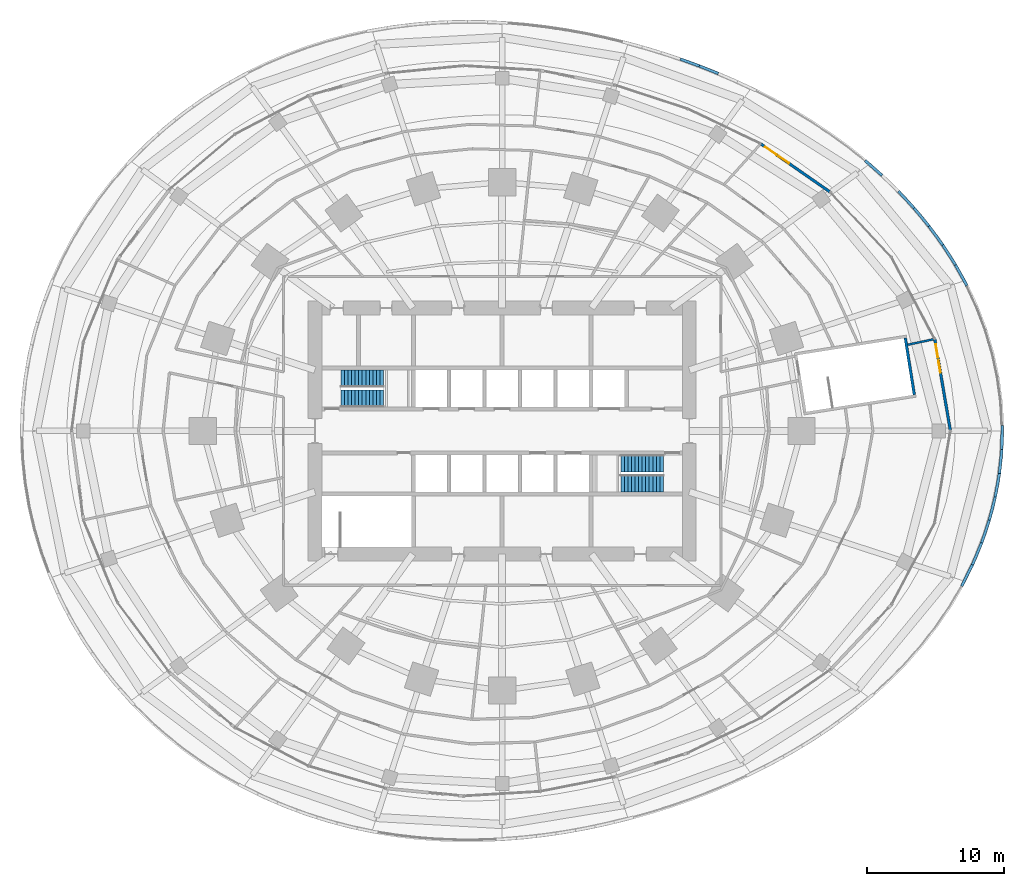
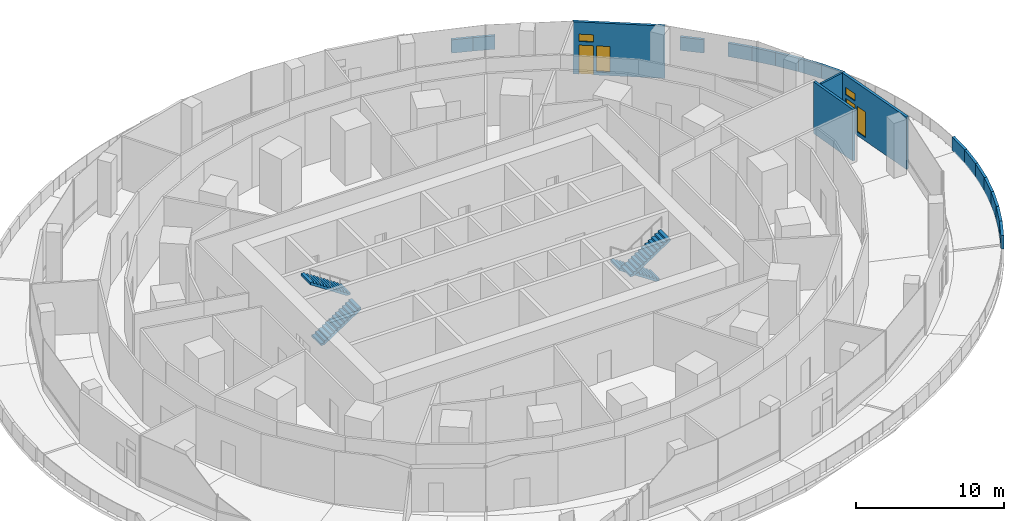
# One storey, part 22 of 26: 19 walls, 4 stair flights, 4 windows, 2 doors, 6 openings, 2 elements without a shape of their own.
"""IFC4 building model written with IfcOpenShell, lengths in metres."""

from ifc_helpers import new_model, si_unit, direction, frame, frame_2d, origin, place, context, subcontext, project, spatial, polyline, rectangle, outline, extrude, material, layer, layer_set, type_object, element, fill, aggregate, save


model = new_model("IFC4")

# Units and contexts
model_context = context("Model", 3, precision=1e-05, world=origin(), true_north=direction((0.0, 1.0)))
body_context = subcontext(model_context, "Body", "Model", "MODEL_VIEW")
ifc_project = project(units=[si_unit("LENGTHUNIT", "METRE"), si_unit("AREAUNIT", "SQUARE_METRE"), si_unit("VOLUMEUNIT", "CUBIC_METRE"), si_unit("PLANEANGLEUNIT", "RADIAN"), si_unit("MASSUNIT", "GRAM", prefix="KILO")], contexts=[model_context])

# Site, building, storey
site_placement = place(None, origin())
site = spatial("IfcSite", under=ifc_project, at=site_placement, CompositionType="ELEMENT")
building_placement = place(site_placement, origin())
building = spatial("IfcBuilding", under=site, at=building_placement, Name="Marramba Exchange Tower", CompositionType="ELEMENT")
storey_placement = place(building_placement, frame((0.0, 0.0, 15.10009765625)))
storey = spatial("IfcBuildingStorey", under=building, at=storey_placement, Name="L03", CompositionType="ELEMENT", Elevation=15.10009765625)

# Wall, openings, door, windows
ifc_material_1 = material(Name="Aluminium-framed bronze cladding on steel studs", Category="steel")
ifc_layer_1 = layer(ifc_material_1, 0.199951171875)
ifc_layer_set_1 = layer_set([ifc_layer_1], Name="Door screen wall 200")
wall_type_1 = type_object("IfcWallType", Name="Door screen wall 200", PredefinedType="SOLIDWALL", material=ifc_layer_set_1)
wall_1_placement = place(storey_placement, frame((32.800048828125, 0.0, 0.0), z_axis=(0.0, 0.0, 1.0), x_axis=(-0.168087065421, 0.98577215341, 0.0)))
wall_1 = element("IfcWall", 1, at=wall_1_placement, inside=storey, type_object=wall_type_1, Name="Door screen L03 F01", PredefinedType="SOLIDWALL", context=body_context, shape_type="SweptSolid", body=[
    extrude(rectangle(XDim=6.8251953125, YDim=0.199951171875, at=frame_2d((3.41259765625, 0.0))), origin(), (0.0, 0.0, 1.0), 4.2998046875),
])
opening_1_placement = place(wall_1_placement, frame((5.425048828125, 0.0, 0.0)))
opening_1 = element("IfcOpeningElement", 2, at=opening_1_placement, cuts=wall_1, Name="Opening D6", PredefinedType="OPENING", context=body_context, shape_type="SweptSolid", body=[
    extrude(rectangle(XDim=1.0, YDim=2.39990234375, at=frame_2d((0.5, 1.199951171875))), frame((0.0, 0.10986328125, 0.0), z_axis=(0.0, -1.0, 0.0), x_axis=(1.0, 0.0, 0.0)), (0.0, 0.0, 1.0), 0.219970703125),
])
opening_2_placement = place(wall_1_placement, frame((4.3251953125, 0.0, 0.300048828125)))
opening_2 = element("IfcOpeningElement", 3, at=opening_2_placement, cuts=wall_1, Name="Opening W4", PredefinedType="OPENING", context=body_context, shape_type="SweptSolid", body=[
    extrude(rectangle(XDim=0.89990234375, YDim=2.10009765625, at=frame_2d((0.449951171875, 1.050048828125))), frame((0.0, 0.10986328125, 0.0), z_axis=(0.0, -1.0, 0.0), x_axis=(1.0, 0.0, 0.0)), (0.0, 0.0, 1.0), 0.219970703125),
])
opening_3_placement = place(wall_1_placement, frame((5.425048828125, 0.0, 2.699951171875)))
opening_3 = element("IfcOpeningElement", 4, at=opening_3_placement, cuts=wall_1, Name="Opening W5", PredefinedType="OPENING", context=body_context, shape_type="SweptSolid", body=[
    extrude(rectangle(XDim=1.0, YDim=0.60009765625, at=frame_2d((0.5, 0.300048828125))), frame((0.0, 0.10986328125, 0.0), z_axis=(0.0, -1.0, 0.0), x_axis=(1.0, 0.0, 0.0)), (0.0, 0.0, 1.0), 0.219970703125),
])
ifc_material_2 = material(Name="Aluminium-framed glazed door, bronze", Category="aluminium")
door_type = type_object("IfcDoorType", Name="Terrace door 1000x2400", OperationType="SINGLE_SWING_LEFT", PredefinedType="DOOR", material=ifc_material_2)
door_1_placement = place(opening_1_placement, frame((1.0, 0.0, 0.0), z_axis=(0.0, 0.0, 1.0), x_axis=(-1.0, 0.0, 0.0)))
door_1 = element("IfcDoor", 5, at=door_1_placement, inside=storey, type_object=door_type, Name="D6 L03", OperationType="SINGLE_SWING_RIGHT", OverallHeight=2.39990234375, OverallWidth=1.0, PredefinedType="DOOR", context=body_context, shape_type="SweptSolid", body=[
    extrude(rectangle(XDim=1.0, YDim=2.39990234375, at=frame_2d((0.5, 1.199951171875))), frame((0.0, 0.025146484375, 0.0), z_axis=(0.0, -1.0, 0.0), x_axis=(1.0, 0.0, 0.0)), (0.0, 0.0, 1.0), 0.050048828125),
])
fill(opening_1, door_1)
ifc_material_3 = material(Name="Aluminium-framed fixed light, bronze, double glazed", Category="aluminium")
window_type_1 = type_object("IfcWindowType", Name="Terrace sidelight 900x2100", PartitioningType="SINGLE_PANEL", PredefinedType="WINDOW", material=ifc_material_3)
window_1_placement = place(opening_2_placement, origin())
window_1 = element("IfcWindow", 6, at=window_1_placement, inside=storey, type_object=window_type_1, Name="W4 L03 F01 left", OverallHeight=2.10009765625, OverallWidth=0.89990234375, PartitioningType="SINGLE_PANEL", PredefinedType="WINDOW", context=body_context, shape_type="SweptSolid", body=[
    extrude(rectangle(XDim=0.89990234375, YDim=2.10009765625, at=frame_2d((0.449951171875, 1.050048828125))), frame((0.0, 0.030029296875, 0.0), z_axis=(0.0, -1.0, 0.0), x_axis=(1.0, 0.0, 0.0)), (0.0, 0.0, 1.0), 0.06005859375),
])
fill(opening_2, window_1)
window_type_2 = type_object("IfcWindowType", Name="Terrace transom light 1000x600", PartitioningType="SINGLE_PANEL", PredefinedType="WINDOW", material=ifc_material_3)
window_2_placement = place(opening_3_placement, origin())
window_2 = element("IfcWindow", 7, at=window_2_placement, inside=storey, type_object=window_type_2, Name="W5 L03 F01 over the door", OverallHeight=0.60009765625, OverallWidth=1.0, PartitioningType="SINGLE_PANEL", PredefinedType="WINDOW", context=body_context, shape_type="SweptSolid", body=[
    extrude(rectangle(XDim=1.0, YDim=0.60009765625, at=frame_2d((0.5, 0.300048828125))), frame((0.0, 0.030029296875, 0.0), z_axis=(0.0, -1.0, 0.0), x_axis=(1.0, 0.0, 0.0)), (0.0, 0.0, 1.0), 0.06005859375),
])
fill(opening_3, window_2)

wall_2_placement = place(storey_placement, frame((24.030029296875, 17.458740234375, 0.0), z_axis=(0.0, 0.0, 1.0), x_axis=(-0.821240808498, 0.570581750897, 0.0)))
wall_2 = element("IfcWall", 8, at=wall_2_placement, inside=storey, type_object=wall_type_1, Name="Door screen L03 F04", PredefinedType="SOLIDWALL", context=body_context, shape_type="SweptSolid", body=[
    extrude(rectangle(XDim=6.224853515625, YDim=0.199951171875, at=frame_2d((3.1123046875, 0.0))), origin(), (0.0, 0.0, 1.0), 4.2998046875),
])
opening_4_placement = place(wall_2_placement, frame((4.82470703125, 0.0, 0.0)))
opening_4 = element("IfcOpeningElement", 9, at=opening_4_placement, cuts=wall_2, Name="Opening D6", PredefinedType="OPENING", context=body_context, shape_type="SweptSolid", body=[
    extrude(rectangle(XDim=1.0, YDim=2.39990234375, at=frame_2d((0.5, 1.199951171875))), frame((0.0, 0.10986328125, 0.0), z_axis=(0.0, -1.0, 0.0), x_axis=(1.0, 0.0, 0.0)), (0.0, 0.0, 1.0), 0.219970703125),
])
opening_5_placement = place(wall_2_placement, frame((3.724609375, 0.0, 0.300048828125)))
opening_5 = element("IfcOpeningElement", 10, at=opening_5_placement, cuts=wall_2, Name="Opening W4", PredefinedType="OPENING", context=body_context, shape_type="SweptSolid", body=[
    extrude(rectangle(XDim=0.89990234375, YDim=2.10009765625, at=frame_2d((0.449951171875, 1.050048828125))), frame((0.0, 0.10986328125, 0.0), z_axis=(0.0, -1.0, 0.0), x_axis=(1.0, 0.0, 0.0)), (0.0, 0.0, 1.0), 0.219970703125),
])
opening_6_placement = place(wall_2_placement, frame((4.82470703125, 0.0, 2.699951171875)))
opening_6 = element("IfcOpeningElement", 11, at=opening_6_placement, cuts=wall_2, Name="Opening W5", PredefinedType="OPENING", context=body_context, shape_type="SweptSolid", body=[
    extrude(rectangle(XDim=1.0, YDim=0.60009765625, at=frame_2d((0.5, 0.300048828125))), frame((0.0, 0.10986328125, 0.0), z_axis=(0.0, -1.0, 0.0), x_axis=(1.0, 0.0, 0.0)), (0.0, 0.0, 1.0), 0.219970703125),
])
door_2_placement = place(opening_4_placement, frame((1.0, 0.0, 0.0), z_axis=(0.0, 0.0, 1.0), x_axis=(-1.0, 0.0, 0.0)))
door_2 = element("IfcDoor", 12, at=door_2_placement, inside=storey, type_object=door_type, Name="D6 L03", OperationType="SINGLE_SWING_RIGHT", OverallHeight=2.39990234375, OverallWidth=1.0, PredefinedType="DOOR", context=body_context, shape_type="SweptSolid", body=[
    extrude(rectangle(XDim=1.0, YDim=2.39990234375, at=frame_2d((0.5, 1.199951171875))), frame((0.0, 0.025146484375, 0.0), z_axis=(0.0, -1.0, 0.0), x_axis=(1.0, 0.0, 0.0)), (0.0, 0.0, 1.0), 0.050048828125),
])
fill(opening_4, door_2)
window_3_placement = place(opening_5_placement, origin())
window_3 = element("IfcWindow", 13, at=window_3_placement, inside=storey, type_object=window_type_1, Name="W4 L03 F04 left", OverallHeight=2.10009765625, OverallWidth=0.89990234375, PartitioningType="SINGLE_PANEL", PredefinedType="WINDOW", context=body_context, shape_type="SweptSolid", body=[
    extrude(rectangle(XDim=0.89990234375, YDim=2.10009765625, at=frame_2d((0.449951171875, 1.050048828125))), frame((0.0, 0.030029296875, 0.0), z_axis=(0.0, -1.0, 0.0), x_axis=(1.0, 0.0, 0.0)), (0.0, 0.0, 1.0), 0.06005859375),
])
fill(opening_5, window_3)
window_4_placement = place(opening_6_placement, origin())
window_4 = element("IfcWindow", 14, at=window_4_placement, inside=storey, type_object=window_type_2, Name="W5 L03 F04 over the door", OverallHeight=0.60009765625, OverallWidth=1.0, PartitioningType="SINGLE_PANEL", PredefinedType="WINDOW", context=body_context, shape_type="SweptSolid", body=[
    extrude(rectangle(XDim=1.0, YDim=0.60009765625, at=frame_2d((0.5, 0.300048828125))), frame((0.0, 0.030029296875, 0.0), z_axis=(0.0, -1.0, 0.0), x_axis=(1.0, 0.0, 0.0)), (0.0, 0.0, 1.0), 0.06005859375),
])
fill(opening_6, window_4)

# Walls
ifc_material_4 = material(Name="Concrete N40", Category="concrete")
ifc_layer_2 = layer(ifc_material_4, 0.199951171875)
ifc_layer_set_2 = layer_set([ifc_layer_2], Name="Roof parapet 200")
wall_type_2 = type_object("IfcWallType", Name="Roof parapet 200", PredefinedType="PARAPET", material=ifc_layer_set_2)
wall_3_placement = place(storey_placement, frame((34.0068359375, 10.62939453125, 0.0), z_axis=(0.0, 0.0, 1.0), x_axis=(-0.482069852461, 0.876132785226, 0.0)))
element("IfcWall", 15, at=wall_3_placement, inside=storey, type_object=wall_type_2, Name="Parapet L03 bay 02", PredefinedType="PARAPET", context=body_context, shape_type="SweptSolid", body=[
    extrude(rectangle(XDim=1.736572265625, YDim=0.199951171875, at=frame_2d((0.8681640625, 0.0))), origin(), (0.0, 0.0, 1.0), 1.099853515625),
])
wall_4_placement = place(storey_placement, frame((33.169677734375, 12.15087890625, 0.0), z_axis=(0.0, 0.0, 1.0), x_axis=(-0.538475745278, 0.842641010008, 0.0)))
element("IfcWall", 16, at=wall_4_placement, inside=storey, type_object=wall_type_2, Name="Parapet L03 bay 02", PredefinedType="PARAPET", context=body_context, shape_type="SweptSolid", body=[
    extrude(rectangle(XDim=1.7265625, YDim=0.199951171875, at=frame_2d((0.86328125, 0.0))), origin(), (0.0, 0.0, 1.0), 1.099853515625),
])
wall_5_placement = place(storey_placement, frame((32.239990234375, 13.605712890625, 0.0), z_axis=(0.0, 0.0, 1.0), x_axis=(-0.590252148776, 0.807218929947, 0.0)))
element("IfcWall", 17, at=wall_5_placement, inside=storey, type_object=wall_type_2, Name="Parapet L03 bay 02", PredefinedType="PARAPET", context=body_context, shape_type="SweptSolid", body=[
    extrude(rectangle(XDim=1.71484375, YDim=0.199951171875, at=frame_2d((0.857421875, 0.0))), origin(), (0.0, 0.0, 1.0), 1.099853515625),
])
wall_6_placement = place(storey_placement, frame((31.227783203125, 14.989990234375, 0.0), z_axis=(0.0, 0.0, 1.0), x_axis=(-0.637370898075, 0.770557160947, 0.0)))
element("IfcWall", 18, at=wall_6_placement, inside=storey, type_object=wall_type_2, Name="Parapet L03 bay 02", PredefinedType="PARAPET", context=body_context, shape_type="SweptSolid", body=[
    extrude(rectangle(XDim=1.701171875, YDim=0.199951171875, at=frame_2d((0.8505859375, 0.0))), origin(), (0.0, 0.0, 1.0), 1.099853515625),
])
wall_7_placement = place(storey_placement, frame((30.1435546875, 16.30078125, 0.0), z_axis=(0.0, 0.0, 1.0), x_axis=(-0.679806466216, 0.733391551963, 0.0)))
element("IfcWall", 19, at=wall_7_placement, inside=storey, type_object=wall_type_2, Name="Parapet L03 bay 02", PredefinedType="PARAPET", context=body_context, shape_type="SweptSolid", body=[
    extrude(rectangle(XDim=1.685791015625, YDim=0.199951171875, at=frame_2d((0.8427734375, 0.0))), origin(), (0.0, 0.0, 1.0), 1.099853515625),
])
wall_8_placement = place(storey_placement, frame((27.79931640625, 18.69873046875, 0.0), z_axis=(0.0, 0.0, 1.0), x_axis=(-0.752228431359, 0.658902410874, 0.0)))
element("IfcWall", 20, at=wall_8_placement, inside=storey, type_object=wall_type_2, Name="Parapet L03 bay 02", PredefinedType="PARAPET", context=body_context, shape_type="SweptSolid", body=[
    extrude(rectangle(XDim=1.650634765625, YDim=0.199951171875, at=frame_2d((0.8251953125, 0.0))), origin(), (0.0, 0.0, 1.0), 1.099853515625),
])
wall_9_placement = place(storey_placement, frame((15.81640625, 26.152587890625, 0.0), z_axis=(0.0, 0.0, 1.0), x_axis=(-0.929273809552, 0.369391644303, 0.0)))
element("IfcWall", 21, at=wall_9_placement, inside=storey, type_object=wall_type_2, Name="Parapet L03 bay 04", PredefinedType="PARAPET", context=body_context, shape_type="SweptSolid", body=[
    extrude(rectangle(XDim=1.49560546875, YDim=0.199951171875, at=frame_2d((0.747802734375, 0.0))), origin(), (0.0, 0.0, 1.0), 1.099853515625),
])
wall_10_placement = place(storey_placement, frame((14.426513671875, 26.705078125, 0.0), z_axis=(0.0, 0.0, 1.0), x_axis=(-0.939735707592, 0.341901740091, 0.0)))
element("IfcWall", 22, at=wall_10_placement, inside=storey, type_object=wall_type_2, Name="Parapet L03 bay 04", PredefinedType="PARAPET", context=body_context, shape_type="SweptSolid", body=[
    extrude(rectangle(XDim=1.482421875, YDim=0.199951171875, at=frame_2d((0.7412109375, 0.0))), origin(), (0.0, 0.0, 1.0), 1.099853515625),
])
wall_11_placement = place(storey_placement, frame((33.62939453125, -11.34521484375, 0.0), z_axis=(0.0, 0.0, 1.0), x_axis=(0.450193642003, 0.89293095181, 0.0)))
element("IfcWall", 23, at=wall_11_placement, inside=storey, type_object=wall_type_2, Name="Parapet L03 bay 20", PredefinedType="PARAPET", context=body_context, shape_type="SweptSolid", body=[
    extrude(rectangle(XDim=1.7353515625, YDim=0.199951171875, at=frame_2d((0.86767578125, 0.0))), origin(), (0.0, 0.0, 1.0), 1.099853515625),
])
wall_12_placement = place(storey_placement, frame((34.41064453125, -9.795654296875, 0.0), z_axis=(0.0, 0.0, 1.0), x_axis=(0.386822762089, 0.922154081881, 0.0)))
element("IfcWall", 24, at=wall_12_placement, inside=storey, type_object=wall_type_2, Name="Parapet L03 bay 20", PredefinedType="PARAPET", context=body_context, shape_type="SweptSolid", body=[
    extrude(rectangle(XDim=1.74267578125, YDim=0.199951171875, at=frame_2d((0.871337890625, 0.0))), origin(), (0.0, 0.0, 1.0), 1.099853515625),
])
wall_13_placement = place(storey_placement, frame((35.084716796875, -8.188720703125, 0.0), z_axis=(0.0, 0.0, 1.0), x_axis=(0.319661106852, 0.947531939708, 0.0)))
element("IfcWall", 25, at=wall_13_placement, inside=storey, type_object=wall_type_2, Name="Parapet L03 bay 20", PredefinedType="PARAPET", context=body_context, shape_type="SweptSolid", body=[
    extrude(rectangle(XDim=1.748291015625, YDim=0.199951171875, at=frame_2d((0.8740234375, 0.0))), origin(), (0.0, 0.0, 1.0), 1.099853515625),
])
wall_14_placement = place(storey_placement, frame((35.6435546875, -6.5322265625, 0.0), z_axis=(0.0, 0.0, 1.0), x_axis=(0.248727344843, 0.968573542859, 0.0)))
element("IfcWall", 26, at=wall_14_placement, inside=storey, type_object=wall_type_2, Name="Parapet L03 bay 20", PredefinedType="PARAPET", context=body_context, shape_type="SweptSolid", body=[
    extrude(rectangle(XDim=1.752197265625, YDim=0.199951171875, at=frame_2d((0.8759765625, 0.0))), origin(), (0.0, 0.0, 1.0), 1.099853515625),
])
wall_15_placement = place(storey_placement, frame((36.079345703125, -4.835205078125, 0.0), z_axis=(0.0, 0.0, 1.0), x_axis=(0.174697749421, 0.984622108399, 0.0)))
element("IfcWall", 27, at=wall_15_placement, inside=storey, type_object=wall_type_2, Name="Parapet L03 bay 20", PredefinedType="PARAPET", context=body_context, shape_type="SweptSolid", body=[
    extrude(rectangle(XDim=1.75537109375, YDim=0.199951171875, at=frame_2d((0.877685546875, 0.0))), origin(), (0.0, 0.0, 1.0), 1.099853515625),
])
wall_16_placement = place(storey_placement, frame((36.385986328125, -3.10693359375, 0.0), z_axis=(0.0, 0.0, 1.0), x_axis=(0.09852678247, 0.995134399534, 0.0)))
element("IfcWall", 28, at=wall_16_placement, inside=storey, type_object=wall_type_2, Name="Parapet L03 bay 20", PredefinedType="PARAPET", context=body_context, shape_type="SweptSolid", body=[
    extrude(rectangle(XDim=1.7568359375, YDim=0.199951171875, at=frame_2d((0.87841796875, 0.0))), origin(), (0.0, 0.0, 1.0), 1.099853515625),
])
wall_17_placement = place(storey_placement, frame((36.55908203125, -1.358642578125, 0.0), z_axis=(0.0, 0.0, 1.0), x_axis=(0.021251104192, 0.999774169786, 0.0)))
element("IfcWall", 29, at=wall_17_placement, inside=storey, type_object=wall_type_2, Name="Parapet L03 bay 20", PredefinedType="PARAPET", context=body_context, shape_type="SweptSolid", body=[
    extrude(rectangle(XDim=1.7578125, YDim=0.199951171875, at=frame_2d((0.87890625, 0.0))), origin(), (0.0, 0.0, 1.0), 1.099853515625),
])
ifc_layer_3 = layer(ifc_material_4, 0.199951171875)
ifc_layer_set_3 = layer_set([ifc_layer_3], Name="Stair core wall 200 N40")
wall_type_3 = type_object("IfcWallType", Name="Stair core wall 200 N40", PredefinedType="SOLIDWALL", material=ifc_layer_set_3)
wall_18_placement = place(storey_placement, frame((30.15673828125, 2.650146484375, 0.0), z_axis=(0.0, 0.0, 1.0), x_axis=(-0.156419245009, 0.987690751091, 0.0)))
element("IfcWall", 30, at=wall_18_placement, inside=storey, type_object=wall_type_3, Name="Stair shaft wall ST4 L03 E", PredefinedType="SOLIDWALL", context=body_context, shape_type="SweptSolid", body=[
    extrude(rectangle(XDim=4.2001953125, YDim=0.199951171875, at=frame_2d((2.10009765625, 0.0))), origin(), (0.0, 0.0, 1.0), 4.25),
])
ifc_material_5 = material(Name="Fire-rated plasterboard on steel studs, acoustic insulation", Category="steel")
ifc_layer_4 = layer(ifc_material_5, 0.14990234375)
ifc_layer_set_4 = layer_set([ifc_layer_4], Name="Tenancy wall 150")
wall_type_4 = type_object("IfcWallType", Name="Tenancy wall 150", PredefinedType="PARTITIONING", material=ifc_layer_set_4)
wall_19_placement = place(storey_placement, frame((29.6787109375, 6.308349609375, 0.0), z_axis=(0.0, 0.0, 1.0), x_axis=(0.978140280968, 0.20794612463, 0.0)))
element("IfcWall", 31, at=wall_19_placement, inside=storey, type_object=wall_type_4, Name="Tenancy wall L03 60", PredefinedType="PARTITIONING", context=body_context, shape_type="SweptSolid", body=[
    extrude(rectangle(XDim=1.9384765625, YDim=0.14990234375, at=frame_2d((0.96923828125, 0.0))), origin(), (0.0, 0.0, 1.0), 4.2998046875),
])

# Stair, stair flights
ifc_material_6 = material(Name="Concrete N40 (40 MPa)", Category="concrete")
stair_type_1 = type_object("IfcStairType", Name="Exit stair ST1 4500 x 1250", PredefinedType="HALF_TURN_STAIR", material=ifc_material_6)
stair_1_placement = place(storey_placement, origin())
stair_1 = element("IfcStair", 32, at=stair_1_placement, inside=storey, type_object=stair_type_1, Name="Exit stair ST1 L03", PredefinedType="HALF_TURN_STAIR")
stair_flight_type_1 = type_object("IfcStairFlightType", Name="ST1 stair flight 1731 riser 1250 wide", PredefinedType="STRAIGHT", material=ifc_material_6)
stair_flight_1_placement = place(storey_placement, frame((-11.800048828125, 2.375, 0.0), z_axis=(0.0, 0.0, 1.0), x_axis=(1.0, 0.0, 0.0)))
stair_flight_1 = element("IfcStairFlight", 33, at=stair_flight_1_placement, type_object=stair_flight_type_1, Name="ST1 flight 1", NumberOfRisers=13, NumberOfTreads=12, PredefinedType="STRAIGHT", RiserHeight=0.173076923, TreadLength=0.26, context=body_context, shape_type="SweptSolid", body=[
    extrude(outline(polyline([(0.0, 0.0), (0.0, 0.173095703125), (0.260009765625, 0.173095703125), (0.260009765625, 0.34619140625), (0.52001953125, 0.34619140625), (0.52001953125, 0.519287109375), (0.780029296875, 0.519287109375), (0.780029296875, 0.6923828125), (1.0400390625, 0.6923828125), (1.0400390625, 0.865478515625), (1.300048828125, 0.865478515625), (1.300048828125, 1.03857421875), (1.56005859375, 1.03857421875), (1.56005859375, 1.21142578125), (1.820068359375, 1.21142578125), (1.820068359375, 1.384521484375), (2.080078125, 1.384521484375), (2.080078125, 1.5576171875), (2.340087890625, 1.5576171875), (2.340087890625, 1.730712890625), (2.60009765625, 1.730712890625), (2.60009765625, 1.90380859375), (2.860107421875, 1.90380859375), (2.860107421875, 2.076904296875), (3.1201171875, 2.076904296875), (3.1201171875, 2.25), (3.1201171875, 1.896728515625), (0.2705078125, 0.0), (0.0, 0.0)])), frame((0.0, 0.625, 0.0), z_axis=(0.0, -1.0, 0.0), x_axis=(1.0, 0.0, 0.0)), (0.0, 0.0, 1.0), 1.25),
])
stair_flight_2_placement = place(storey_placement, frame((-8.679931640625, 3.824951171875, 2.25), z_axis=(0.0, 0.0, 1.0), x_axis=(-1.0, 0.0, 0.0)))
stair_flight_2 = element("IfcStairFlight", 34, at=stair_flight_2_placement, type_object=stair_flight_type_1, Name="ST1 flight 2", NumberOfRisers=13, NumberOfTreads=12, PredefinedType="STRAIGHT", RiserHeight=0.173076923, TreadLength=0.26, context=body_context, shape_type="SweptSolid", body=[
    extrude(outline(polyline([(0.0, 0.0), (0.0, 0.173095703125), (0.260009765625, 0.173095703125), (0.260009765625, 0.34619140625), (0.52001953125, 0.34619140625), (0.52001953125, 0.519287109375), (0.780029296875, 0.519287109375), (0.780029296875, 0.6923828125), (1.0400390625, 0.6923828125), (1.0400390625, 0.865478515625), (1.300048828125, 0.865478515625), (1.300048828125, 1.03857421875), (1.56005859375, 1.03857421875), (1.56005859375, 1.21142578125), (1.820068359375, 1.21142578125), (1.820068359375, 1.384521484375), (2.080078125, 1.384521484375), (2.080078125, 1.5576171875), (2.340087890625, 1.5576171875), (2.340087890625, 1.730712890625), (2.60009765625, 1.730712890625), (2.60009765625, 1.90380859375), (2.860107421875, 1.90380859375), (2.860107421875, 2.076904296875), (3.1201171875, 2.076904296875), (3.1201171875, 2.25), (3.1201171875, 1.896728515625), (0.2705078125, 0.0), (0.0, 0.0)])), frame((0.0, 0.625, 0.0), z_axis=(0.0, -1.0, 0.0), x_axis=(1.0, 0.0, 0.0)), (0.0, 0.0, 1.0), 1.25),
])
aggregate(stair_1, [stair_flight_1, stair_flight_2])

stair_type_2 = type_object("IfcStairType", Name="Exit stair ST2 4500 x 1250", PredefinedType="HALF_TURN_STAIR", material=ifc_material_6)
stair_2_placement = place(storey_placement, origin())
stair_2 = element("IfcStair", 35, at=stair_2_placement, inside=storey, type_object=stair_type_2, Name="Exit stair ST2 L03", PredefinedType="HALF_TURN_STAIR")
stair_flight_type_2 = type_object("IfcStairFlightType", Name="ST2 stair flight 1731 riser 1250 wide", PredefinedType="STRAIGHT", material=ifc_material_6)
stair_flight_3_placement = place(storey_placement, frame((11.800048828125, -2.375, 0.0), z_axis=(0.0, 0.0, 1.0), x_axis=(-1.0, 0.0, 0.0)))
stair_flight_3 = element("IfcStairFlight", 36, at=stair_flight_3_placement, type_object=stair_flight_type_2, Name="ST2 flight 1", NumberOfRisers=13, NumberOfTreads=12, PredefinedType="STRAIGHT", RiserHeight=0.173076923, TreadLength=0.26, context=body_context, shape_type="SweptSolid", body=[
    extrude(outline(polyline([(0.0, 0.0), (0.0, 0.173095703125), (0.260009765625, 0.173095703125), (0.260009765625, 0.34619140625), (0.52001953125, 0.34619140625), (0.52001953125, 0.519287109375), (0.780029296875, 0.519287109375), (0.780029296875, 0.6923828125), (1.0400390625, 0.6923828125), (1.0400390625, 0.865478515625), (1.300048828125, 0.865478515625), (1.300048828125, 1.03857421875), (1.56005859375, 1.03857421875), (1.56005859375, 1.21142578125), (1.820068359375, 1.21142578125), (1.820068359375, 1.384521484375), (2.080078125, 1.384521484375), (2.080078125, 1.5576171875), (2.340087890625, 1.5576171875), (2.340087890625, 1.730712890625), (2.60009765625, 1.730712890625), (2.60009765625, 1.90380859375), (2.860107421875, 1.90380859375), (2.860107421875, 2.076904296875), (3.1201171875, 2.076904296875), (3.1201171875, 2.25), (3.1201171875, 1.896728515625), (0.2705078125, 0.0), (0.0, 0.0)])), frame((0.0, 0.625, 0.0), z_axis=(0.0, -1.0, 0.0), x_axis=(1.0, 0.0, 0.0)), (0.0, 0.0, 1.0), 1.25),
])
stair_flight_4_placement = place(storey_placement, frame((8.679931640625, -3.824951171875, 2.25), z_axis=(0.0, 0.0, 1.0), x_axis=(1.0, 0.0, 0.0)))
stair_flight_4 = element("IfcStairFlight", 37, at=stair_flight_4_placement, type_object=stair_flight_type_2, Name="ST2 flight 2", NumberOfRisers=13, NumberOfTreads=12, PredefinedType="STRAIGHT", RiserHeight=0.173076923, TreadLength=0.26, context=body_context, shape_type="SweptSolid", body=[
    extrude(outline(polyline([(0.0, 0.0), (0.0, 0.173095703125), (0.260009765625, 0.173095703125), (0.260009765625, 0.34619140625), (0.52001953125, 0.34619140625), (0.52001953125, 0.519287109375), (0.780029296875, 0.519287109375), (0.780029296875, 0.6923828125), (1.0400390625, 0.6923828125), (1.0400390625, 0.865478515625), (1.300048828125, 0.865478515625), (1.300048828125, 1.03857421875), (1.56005859375, 1.03857421875), (1.56005859375, 1.21142578125), (1.820068359375, 1.21142578125), (1.820068359375, 1.384521484375), (2.080078125, 1.384521484375), (2.080078125, 1.5576171875), (2.340087890625, 1.5576171875), (2.340087890625, 1.730712890625), (2.60009765625, 1.730712890625), (2.60009765625, 1.90380859375), (2.860107421875, 1.90380859375), (2.860107421875, 2.076904296875), (3.1201171875, 2.076904296875), (3.1201171875, 2.25), (3.1201171875, 1.896728515625), (0.2705078125, 0.0), (0.0, 0.0)])), frame((0.0, 0.625, 0.0), z_axis=(0.0, -1.0, 0.0), x_axis=(1.0, 0.0, 0.0)), (0.0, 0.0, 1.0), 1.25),
])
aggregate(stair_2, [stair_flight_3, stair_flight_4])

save(model, "model.ifc")
